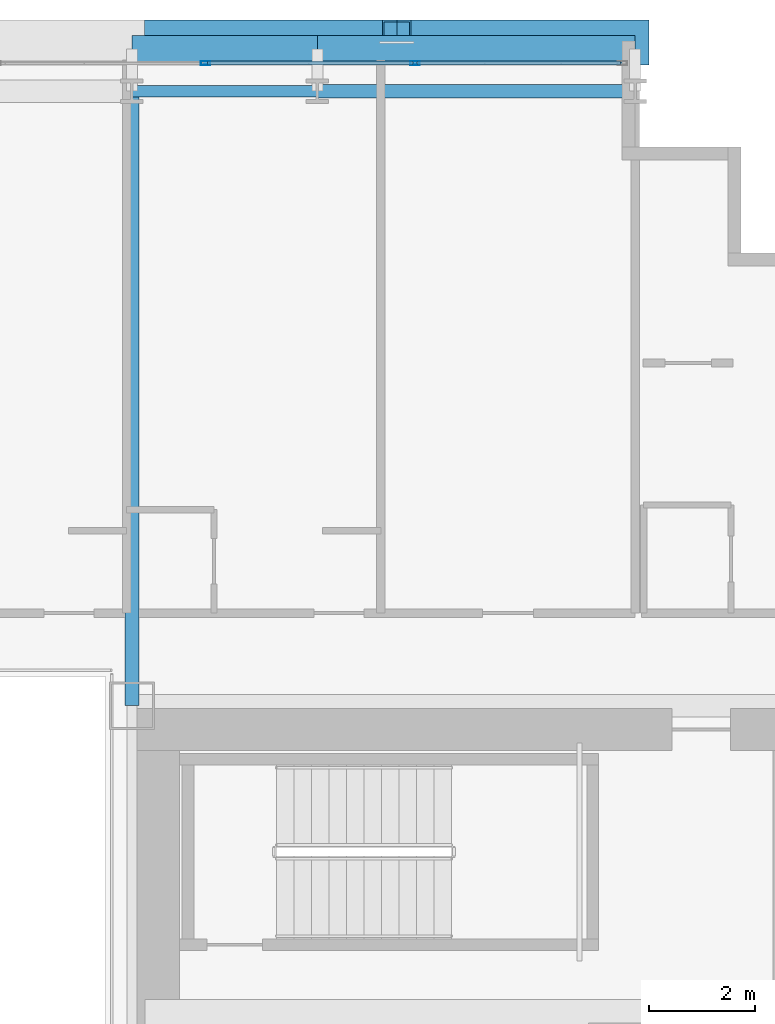
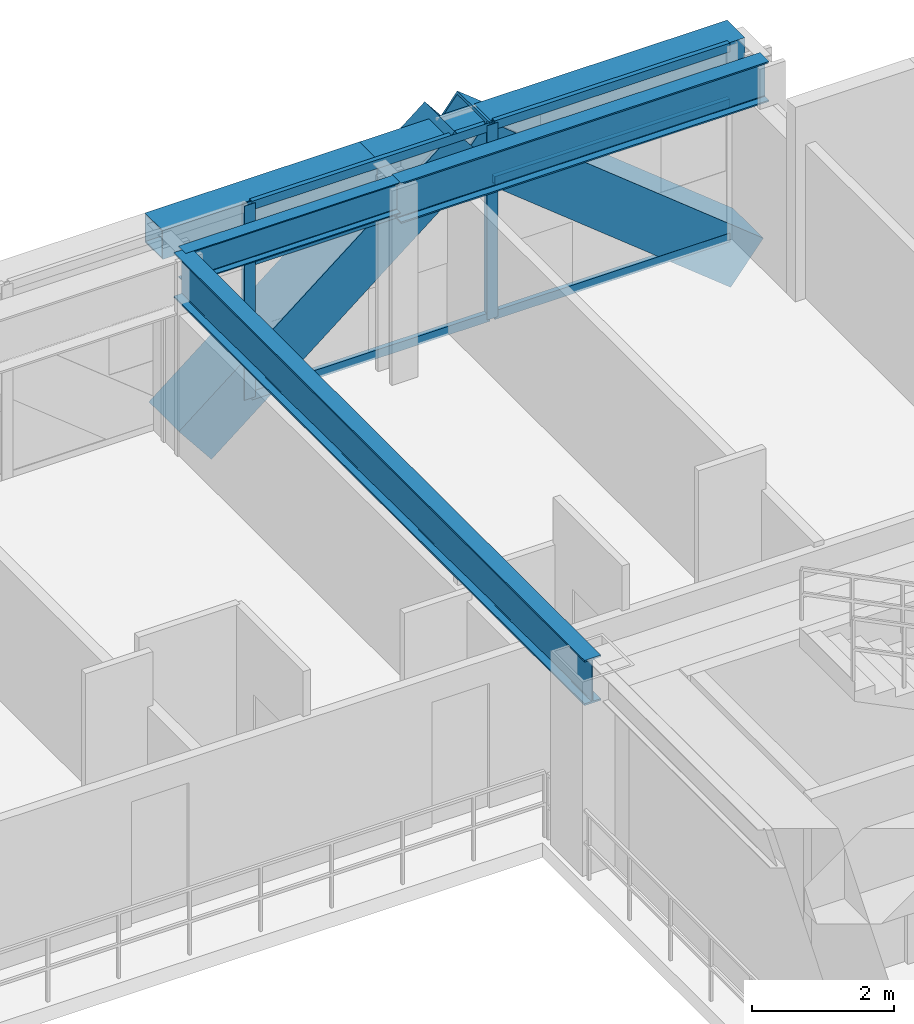
# One storey, part 21 of 35: 10 members, 5 beams, 1 element without a shape of its own.
"""IFC4 building model written with IfcOpenShell, lengths in metres."""

from ifc_helpers import new_model, si_unit, direction, frame, origin, origin_2d, place, context, subcontext, project, spatial, hollow_rectangle, i_section, extrude, source, transform, mapped, material, layer, layer_set, material_profile, profile_set, type_object, element, aggregate, save


model = new_model("IFC4")

# Units and contexts
model_context = context("Model", 3, precision=1e-05, world=origin(), true_north=direction((0.0, 1.0)))
body_context = subcontext(model_context, "Body", "Model", "MODEL_VIEW")
ifc_project = project(units=[si_unit("LENGTHUNIT", "METRE"), si_unit("AREAUNIT", "SQUARE_METRE"), si_unit("VOLUMEUNIT", "CUBIC_METRE"), si_unit("PLANEANGLEUNIT", "RADIAN"), si_unit("MASSUNIT", "GRAM", prefix="KILO")], contexts=[model_context])

# Site, building, storey
site_placement = place(None, origin())
site = spatial("IfcSite", under=ifc_project, at=site_placement, CompositionType="ELEMENT")
building_placement = place(site_placement, origin())
building = spatial("IfcBuilding", under=site, at=building_placement, Name="Ocotamira Hotel", CompositionType="ELEMENT")
storey_placement = place(building_placement, frame((0.0, 0.0, 70.800048828125)))
storey = spatial("IfcBuildingStorey", under=building, at=storey_placement, Name="L17", CompositionType="ELEMENT", Elevation=70.800048828125)

# Beams
ifc_material_1 = material(Name="Steel ASTM A992 Grade 50", Category="steel")
ifc_material_profile_1 = material_profile(ifc_material_1, i_section(OverallWidth=0.256103515625, OverallDepth=0.693115234375, WebThickness=0.014404296875, FlangeThickness=0.023681640625, FilletRadius=0.01611328125, at=origin_2d()), Name="W27X114")
ifc_profile_set_1 = profile_set([ifc_material_profile_1], Name="Steel ASTM A992 Grade 50")
beam_type_1 = type_object("IfcBeamType", Name="BM-PRIM-W27X114", PredefinedType="BEAM", material=ifc_profile_set_1)
shared_shape_1 = source(origin(), body_context, "Body", "SweptSolid", [
    extrude(i_section(OverallWidth=0.256103515625, OverallDepth=0.693115234375, WebThickness=0.014404296875, FlangeThickness=0.023681640625, FilletRadius=0.01611328125, at=origin_2d()), origin(), (0.0, 0.0, 1.0), 6.0),
])
beam_1_placement = place(storey_placement, frame((44.0, 49.050048828125, 3.00341796875), z_axis=(1.0, 0.0, 0.0), x_axis=(0.0, 1.0, 0.0)))
element("IfcBeam", 1, at=beam_1_placement, inside=storey, type_object=beam_type_1, Name="L17 Girder Y49.05 X44-50", PredefinedType="BEAM", context=body_context, shape_type="MappedRepresentation", body=[
    mapped(shared_shape_1, transform((0.0, 0.0, 0.0), scale=1.0)),
])
ifc_material_profile_2 = material_profile(ifc_material_1, i_section(OverallWidth=0.2099609375, OverallDepth=0.537109375, WebThickness=0.010986328125, FlangeThickness=0.017333984375, FilletRadius=0.012939453125, at=origin_2d()), Name="W21X68")
ifc_profile_set_2 = profile_set([ifc_material_profile_2], Name="Steel ASTM A992 Grade 50")
beam_type_2 = type_object("IfcBeamType", Name="BM-SEC-W21X68", PredefinedType="JOIST", material=ifc_profile_set_2)
shared_shape_2 = source(origin(), body_context, "Body", "SweptSolid", [
    extrude(i_section(OverallWidth=0.2099609375, OverallDepth=0.537109375, WebThickness=0.010986328125, FlangeThickness=0.017333984375, FilletRadius=0.012939453125, at=origin_2d()), origin(), (0.0, 0.0, 1.0), 3.5),
])
beam_2_placement = place(storey_placement, frame((40.5, 49.050048828125, 3.08154296875), z_axis=(1.0, 0.0, 0.0), x_axis=(0.0, 1.0, 0.0)))
element("IfcBeam", 2, at=beam_2_placement, inside=storey, type_object=beam_type_2, Name="L17 Girder Y49.05 X40.5-44", PredefinedType="JOIST", context=body_context, shape_type="MappedRepresentation", body=[
    mapped(shared_shape_2, transform((0.0, 0.0, 0.0), scale=1.0)),
])
ifc_material_profile_3 = material_profile(ifc_material_1, i_section(OverallWidth=0.26611328125, OverallDepth=0.779052734375, WebThickness=0.0166015625, FlangeThickness=0.030029296875, FilletRadius=0.01806640625, at=origin_2d()), Name="W30X148")
ifc_profile_set_3 = profile_set([ifc_material_profile_3], Name="Steel ASTM A992 Grade 50")
beam_type_3 = type_object("IfcBeamType", Name="BM-GIRD-W30X148", PredefinedType="BEAM", material=ifc_profile_set_3)
shared_shape_3 = source(origin(), body_context, "Body", "SweptSolid", [
    extrude(i_section(OverallWidth=0.26611328125, OverallDepth=0.779052734375, WebThickness=0.0166015625, FlangeThickness=0.030029296875, FilletRadius=0.01806640625, at=origin_2d()), origin(), (0.0, 0.0, 1.0), 11.60009765625),
])
beam_3_placement = place(storey_placement, frame((40.5, 37.449951171875, 2.96044921875), z_axis=(0.0, 1.0, 0.0), x_axis=(-1.0, 0.0, 0.0)))
element("IfcBeam", 3, at=beam_3_placement, inside=storey, type_object=beam_type_3, Name="L17 Beam X40.5 Y37.45-49.05", PredefinedType="BEAM", context=body_context, shape_type="MappedRepresentation", body=[
    mapped(shared_shape_3, transform((0.0, 0.0, 0.0), scale=1.0)),
])
ifc_material_2 = material(Name="Steel ASTM A500 Grade C", Category="steel")
ifc_material_profile_4 = material_profile(ifc_material_2, hollow_rectangle(XDim=0.5, YDim=0.5, WallThickness=0.02001953125, at=origin_2d()), Name="HSS500X500X20")
ifc_profile_set_4 = profile_set([ifc_material_profile_4], Name="Steel ASTM A500 Grade C")
beam_type_4 = type_object("IfcBeamType", Name="BM-SPAN-HSS500", PredefinedType="USERDEFINED", material=ifc_profile_set_4)
shared_shape_4 = source(origin(), body_context, "Body", "SweptSolid", [
    extrude(hollow_rectangle(XDim=0.5, YDim=0.5, WallThickness=0.02001953125, at=origin_2d()), origin(), (0.0, 0.0, 1.0), 6.0),
])
beam_4_placement = place(storey_placement, frame((44.0, 49.85009765625, 3.099853515625), z_axis=(1.0, 0.0, 0.0), x_axis=(0.0, 1.0, 0.0)))
element("IfcBeam", 4, at=beam_4_placement, inside=storey, type_object=beam_type_4, Name="L17 Edge Spandrel N X44-50", ObjectType="SPANDREL", PredefinedType="USERDEFINED", context=body_context, shape_type="MappedRepresentation", body=[
    mapped(shared_shape_4, transform((0.0, 0.0, 0.0), scale=1.0)),
])
shared_shape_5 = source(origin(), body_context, "Body", "SweptSolid", [
    extrude(hollow_rectangle(XDim=0.5, YDim=0.5, WallThickness=0.02001953125, at=origin_2d()), origin(), (0.0, 0.0, 1.0), 3.5),
])
beam_5_placement = place(storey_placement, frame((40.5, 49.85009765625, 3.099853515625), z_axis=(1.0, 0.0, 0.0), x_axis=(0.0, 1.0, 0.0)))
element("IfcBeam", 5, at=beam_5_placement, inside=storey, type_object=beam_type_4, Name="L17 Edge Spandrel N X40.5-44", ObjectType="SPANDREL", PredefinedType="USERDEFINED", context=body_context, shape_type="MappedRepresentation", body=[
    mapped(shared_shape_5, transform((0.0, 0.0, 0.0), scale=1.0)),
])

# Members
ifc_material_3 = material(Name="Pale-metal coated steel ASTM A913 Grade 65", Category="steel")
ifc_material_profile_5 = material_profile(ifc_material_3, hollow_rectangle(XDim=0.85009765625, YDim=0.85009765625, WallThickness=0.035888671875, at=origin_2d()), Name="BOX850X850X36")
ifc_profile_set_5 = profile_set([ifc_material_profile_5], Name="Pale-metal coated steel ASTM A913 Grade 65")
member_type_1 = type_object("IfcMemberType", Name="MEM-EXO-BOX850", PredefinedType="BRACE", material=ifc_profile_set_5)
shared_shape_6 = source(origin(), body_context, "Body", "SweptSolid", [
    extrude(hollow_rectangle(XDim=0.85009765625, YDim=0.85009765625, WallThickness=0.035888671875, at=origin_2d()), origin(), (0.0, 0.0, 1.0), 5.7626953125),
])
for number, where, z_axis, x_axis, name in (
    (6, (41.0, 49.969970703125, -0.5), (0.780881208953, 0.0, 0.624679547852), (0.0, 1.0, 0.0), "L17 Exoskeleton Diagrid N3.1"),
    (7, (50.0, 49.969970703125, -0.5), (-0.780881208953, 0.0, 0.624679547852), (0.0, -1.0, 0.0), "L17 Exoskeleton Diagrid N3.2"),
):
    element("IfcMember", number, at=place(storey_placement, frame(where, z_axis=z_axis, x_axis=x_axis)), inside=storey, type_object=member_type_1, Name=name, PredefinedType="BRACE", context=body_context, shape_type="MappedRepresentation", body=[
        mapped(shared_shape_6, transform((0.0, 0.0, 0.0), scale=1.0)),
    ])

# Curtain wall, members
ifc_material_4 = material(Name="Anodised pale-metal aluminium and solar glass", Category="aluminium")
ifc_layer = layer(ifc_material_4, 0.179931640625)
ifc_layer_set = layer_set([ifc_layer], Name="Anodised pale-metal aluminium and solar glass")
curtain_wall_type = type_object("IfcCurtainWallType", Name="CW-SYS2-Z1", PredefinedType="NOTDEFINED", material=ifc_layer_set)
curtain_wall_placement = place(storey_placement, origin())
curtain_wall = element("IfcCurtainWall", 8, at=curtain_wall_placement, inside=storey, type_object=curtain_wall_type, Name="L17 Curtain Wall CW-2 CW-L17-N", PredefinedType="NOTDEFINED")
ifc_material_5 = material(Name="Anodised pale-metal aluminium 6063-T6", Category="aluminium")
ifc_material_profile_6 = material_profile(ifc_material_5, hollow_rectangle(XDim=0.080078125, YDim=0.179931640625, WallThickness=0.006103515625, at=origin_2d()), Name="HSS180X80X6")
ifc_profile_set_6 = profile_set([ifc_material_profile_6], Name="Anodised pale-metal aluminium 6063-T6")
member_type_2 = type_object("IfcMemberType", Name="CWM-180X75", PredefinedType="MULLION", material=ifc_profile_set_6)
shared_shape_7 = source(origin(), body_context, "Body", "SweptSolid", [
    extrude(hollow_rectangle(XDim=0.080078125, YDim=0.179931640625, WallThickness=0.006103515625, at=origin_2d()), origin(), (0.0, 0.0, 1.0), 3.349853515625),
])
member_1_placement = place(storey_placement, frame((41.888916015625, 49.580078125, 0.0), z_axis=(0.0, 0.0, 1.0), x_axis=(0.0, 1.0, 0.0)))
member_1 = element("IfcMember", 9, at=member_1_placement, type_object=member_type_2, Name="CW-2 mullion 8", PredefinedType="MULLION", context=body_context, shape_type="MappedRepresentation", body=[
    mapped(shared_shape_7, transform((0.0, 0.0, 0.0), scale=1.0)),
])
member_2_placement = place(storey_placement, frame((45.844482421875, 49.580078125, 0.0), z_axis=(0.0, 0.0, 1.0), x_axis=(0.0, 1.0, 0.0)))
member_2 = element("IfcMember", 10, at=member_2_placement, type_object=member_type_2, Name="CW-2 mullion 9", PredefinedType="MULLION", context=body_context, shape_type="MappedRepresentation", body=[
    mapped(shared_shape_7, transform((0.0, 0.0, 0.0), scale=1.0)),
])
ifc_material_profile_7 = material_profile(ifc_material_5, hollow_rectangle(XDim=0.074951171875, YDim=0.14990234375, WallThickness=0.006103515625, at=origin_2d()), Name="HSS150X75X6")
ifc_profile_set_7 = profile_set([ifc_material_profile_7], Name="Anodised pale-metal aluminium 6063-T6")
member_type_3 = type_object("IfcMemberType", Name="CWT-150X75", PredefinedType="USERDEFINED", material=ifc_profile_set_7)
shared_shape_8 = source(origin(), body_context, "Body", "SweptSolid", [
    extrude(hollow_rectangle(XDim=0.074951171875, YDim=0.14990234375, WallThickness=0.006103515625, at=origin_2d()), origin(), (0.0, 0.0, 1.0), 3.83544921875),
])
member_3_placement = place(storey_placement, frame((45.884521484375, 49.580078125, 0.037353515625), z_axis=(1.0, 0.0, 0.0), x_axis=(0.0, 1.0, 0.0)))
member_3 = element("IfcMember", 11, at=member_3_placement, type_object=member_type_3, Name="CW-2 transom 9.1", ObjectType="TRANSOM", PredefinedType="USERDEFINED", context=body_context, shape_type="MappedRepresentation", body=[
    mapped(shared_shape_8, transform((0.0, 0.0, 0.0), scale=1.0)),
])
member_4_placement = place(storey_placement, frame((45.884521484375, 49.580078125, 2.349853515625), z_axis=(1.0, 0.0, 0.0), x_axis=(0.0, 1.0, 0.0)))
member_4 = element("IfcMember", 12, at=member_4_placement, type_object=member_type_3, Name="CW-2 transom 9.2", ObjectType="TRANSOM", PredefinedType="USERDEFINED", context=body_context, shape_type="MappedRepresentation", body=[
    mapped(shared_shape_8, transform((0.0, 0.0, 0.0), scale=1.0)),
])
member_5_placement = place(storey_placement, frame((45.884521484375, 49.580078125, 3.3125), z_axis=(1.0, 0.0, 0.0), x_axis=(0.0, 1.0, 0.0)))
member_5 = element("IfcMember", 13, at=member_5_placement, type_object=member_type_3, Name="CW-2 transom 9.3", ObjectType="TRANSOM", PredefinedType="USERDEFINED", context=body_context, shape_type="MappedRepresentation", body=[
    mapped(shared_shape_8, transform((0.0, 0.0, 0.0), scale=1.0)),
])
shared_shape_9 = source(origin(), body_context, "Body", "SweptSolid", [
    extrude(hollow_rectangle(XDim=0.074951171875, YDim=0.14990234375, WallThickness=0.006103515625, at=origin_2d()), origin(), (0.0, 0.0, 1.0), 3.87548828125),
])
member_6_placement = place(storey_placement, frame((41.928955078125, 49.580078125, 0.037353515625), z_axis=(1.0, 0.0, 0.0), x_axis=(0.0, 1.0, 0.0)))
member_6 = element("IfcMember", 14, at=member_6_placement, type_object=member_type_3, Name="CW-2 transom 8.1", ObjectType="TRANSOM", PredefinedType="USERDEFINED", context=body_context, shape_type="MappedRepresentation", body=[
    mapped(shared_shape_9, transform((0.0, 0.0, 0.0), scale=1.0)),
])
member_7_placement = place(storey_placement, frame((41.928955078125, 49.580078125, 2.349853515625), z_axis=(1.0, 0.0, 0.0), x_axis=(0.0, 1.0, 0.0)))
member_7 = element("IfcMember", 15, at=member_7_placement, type_object=member_type_3, Name="CW-2 transom 8.2", ObjectType="TRANSOM", PredefinedType="USERDEFINED", context=body_context, shape_type="MappedRepresentation", body=[
    mapped(shared_shape_9, transform((0.0, 0.0, 0.0), scale=1.0)),
])
member_8_placement = place(storey_placement, frame((41.928955078125, 49.580078125, 3.3125), z_axis=(1.0, 0.0, 0.0), x_axis=(0.0, 1.0, 0.0)))
member_8 = element("IfcMember", 16, at=member_8_placement, type_object=member_type_3, Name="CW-2 transom 8.3", ObjectType="TRANSOM", PredefinedType="USERDEFINED", context=body_context, shape_type="MappedRepresentation", body=[
    mapped(shared_shape_9, transform((0.0, 0.0, 0.0), scale=1.0)),
])
aggregate(curtain_wall, [member_1, member_2, member_6, member_7, member_8, member_3, member_4, member_5])

save(model, "model.ifc")
